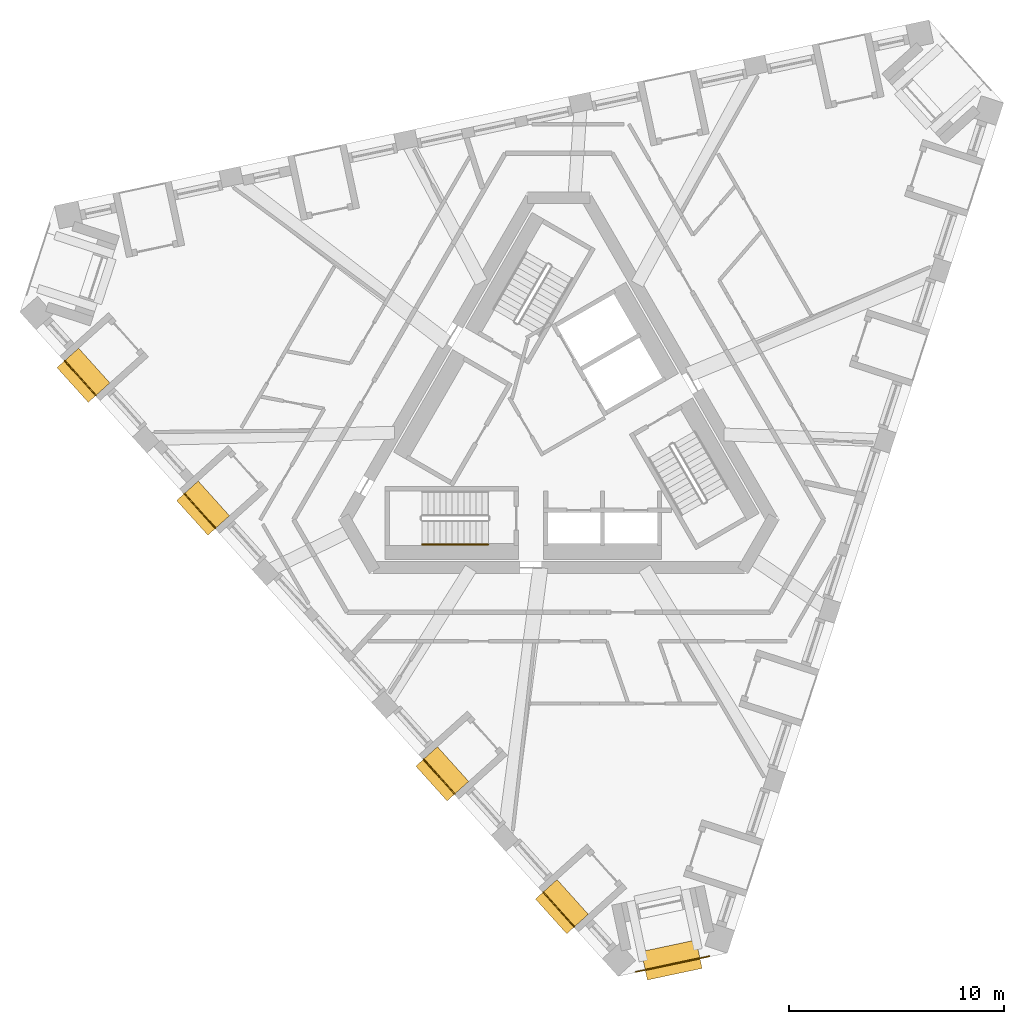
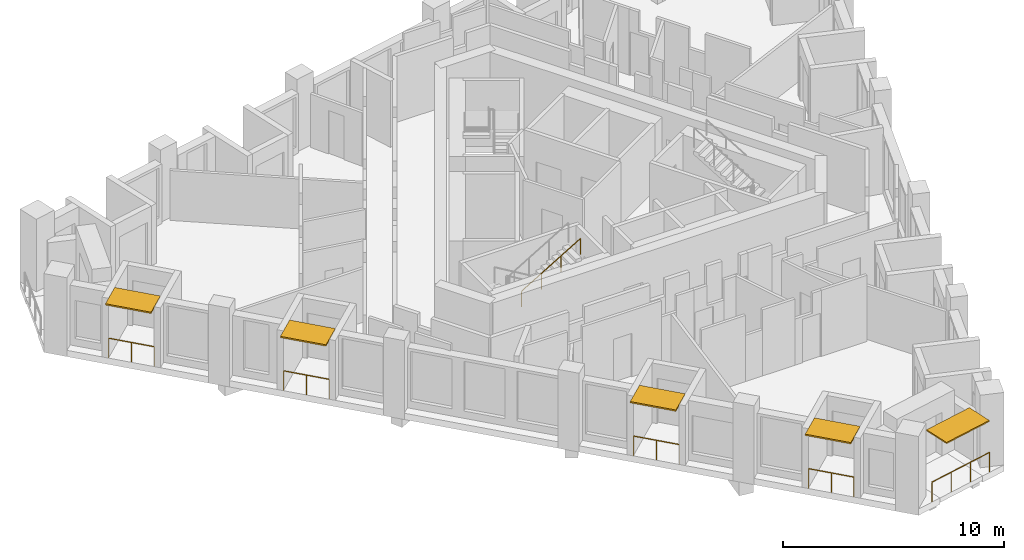
# One storey, part 9 of 12: 6 railings, 5 shading devices.
"""IFC4 building model written with IfcOpenShell, lengths in metres."""

from ifc_helpers import new_model, si_unit, direction, frame, origin, origin_2d, place, context, subcontext, project, spatial, rectangle, circle, extrude, material, layer, layer_set, type_object, element, save


model = new_model("IFC4")

# Units and contexts
model_context = context("Model", 3, precision=1e-05, world=origin(), true_north=direction((0.0, 1.0)))
body_context = subcontext(model_context, "Body", "Model", "MODEL_VIEW")
ifc_project = project(units=[si_unit("LENGTHUNIT", "METRE"), si_unit("AREAUNIT", "SQUARE_METRE"), si_unit("VOLUMEUNIT", "CUBIC_METRE"), si_unit("PLANEANGLEUNIT", "RADIAN"), si_unit("MASSUNIT", "GRAM", prefix="KILO")], contexts=[model_context])

# Site, building, storey
site_placement = place(None, origin())
site = spatial("IfcSite", under=ifc_project, at=site_placement, CompositionType="ELEMENT")
building_placement = place(site_placement, origin())
building = spatial("IfcBuilding", under=site, at=building_placement, Name="Tramontana Tower", CompositionType="ELEMENT")
storey_placement = place(building_placement, frame((0.0, 0.0, 320.39990234375)))
storey = spatial("IfcBuildingStorey", under=building, at=storey_placement, Name="L73", CompositionType="ELEMENT", Elevation=320.39990234375)

# Railings
ifc_material_1 = material(Name="Laminated glass balustrade", Category="glass")
railing_type_1 = type_object("IfcRailingType", Name="GD1 Loggia glass balustrade 1100", PredefinedType="BALUSTRADE", material=ifc_material_1)
railing_1_placement = place(storey_placement, frame((-22.977294921875, 3.146728515625, 0.0)))
element("IfcRailing", 1, at=railing_1_placement, inside=storey, type_object=railing_type_1, Name="Loggia balustrade L73 G8S0.1", PredefinedType="BALUSTRADE", context=body_context, shape_type="SweptSolid", body=[
    extrude(circle(Radius=0.02392578125, at=origin_2d()), frame((0.0, 0.0, 1.076171875), z_axis=(0.669082765552, -0.743187898745, 0.0), x_axis=(0.743187898745, 0.669082765552, 0.0)), (0.0, 0.0, 1.0), 2.171142578125),
    extrude(circle(Radius=0.02099609375, at=origin_2d()), origin(), (0.0, 0.0, 1.0), 1.052001953125),
    extrude(circle(Radius=0.02099609375, at=origin_2d()), frame((0.726318359375, -0.806640625, 0.0)), (0.0, 0.0, 1.0), 1.052001953125),
    extrude(circle(Radius=0.02099609375, at=origin_2d()), frame((1.45263671875, -1.613525390625, 0.0)), (0.0, 0.0, 1.0), 1.052001953125),
])
for number, where, name in (
    (2, (-17.414306640625, -3.03173828125, 0.0), "Loggia balustrade L73 G8S0.4"),
    (3, (-6.288330078125, -15.388427734375, 0.0), "Loggia balustrade L73 G8S0.10"),
):
    element("IfcRailing", number, at=place(storey_placement, frame(where)), inside=storey, type_object=railing_type_1, Name=name, PredefinedType="BALUSTRADE", context=body_context, shape_type="SweptSolid", body=[
        extrude(circle(Radius=0.02392578125, at=origin_2d()), frame((0.0, 0.0, 1.076171875), z_axis=(0.669144868344, -0.743131983681, 0.0), x_axis=(0.743131983681, 0.669144868344, 0.0)), (0.0, 0.0, 1.0), 2.171142578125),
        extrude(circle(Radius=0.02099609375, at=origin_2d()), origin(), (0.0, 0.0, 1.0), 1.052001953125),
        extrude(circle(Radius=0.02099609375, at=origin_2d()), frame((0.7265625, -0.806640625, 0.0)), (0.0, 0.0, 1.0), 1.052001953125),
        extrude(circle(Radius=0.02099609375, at=origin_2d()), frame((1.452880859375, -1.613525390625, 0.0)), (0.0, 0.0, 1.0), 1.052001953125),
    ])
railing_2_placement = place(storey_placement, frame((-0.72509765625, -21.56689453125, 0.0)))
element("IfcRailing", 4, at=railing_2_placement, inside=storey, type_object=railing_type_1, Name="Loggia balustrade L73 G8S0.13", PredefinedType="BALUSTRADE", context=body_context, shape_type="SweptSolid", body=[
    extrude(circle(Radius=0.02392578125, at=origin_2d()), frame((0.0, 0.0, 1.076171875), z_axis=(0.669082765552, -0.743187898745, 0.0), x_axis=(0.743187898745, 0.669082765552, 0.0)), (0.0, 0.0, 1.0), 2.171142578125),
    extrude(circle(Radius=0.02099609375, at=origin_2d()), origin(), (0.0, 0.0, 1.0), 1.052001953125),
    extrude(circle(Radius=0.02099609375, at=origin_2d()), frame((0.726318359375, -0.806640625, 0.0)), (0.0, 0.0, 1.0), 1.052001953125),
    extrude(circle(Radius=0.02099609375, at=origin_2d()), frame((1.45263671875, -1.613525390625, 0.0)), (0.0, 0.0, 1.0), 1.052001953125),
])
railing_3_placement = place(storey_placement, frame((7.00732421875, -24.549560546875, 0.0)))
element("IfcRailing", 5, at=railing_3_placement, inside=storey, type_object=railing_type_1, Name="Corner loggia balustrade L73 K81", PredefinedType="BALUSTRADE", context=body_context, shape_type="SweptSolid", body=[
    extrude(circle(Radius=0.02392578125, at=origin_2d()), frame((0.0, 0.0, 1.076171875), z_axis=(-0.978143070564, -0.20793300245, 0.0), x_axis=(0.20793300245, -0.978143070564, 0.0)), (0.0, 0.0, 1.0), 3.5),
    extrude(circle(Radius=0.02099609375, at=origin_2d()), origin(), (0.0, 0.0, 1.0), 1.052001953125),
    extrude(circle(Radius=0.02099609375, at=origin_2d()), frame((-1.14111328125, -0.24267578125, 0.0)), (0.0, 0.0, 1.0), 1.052001953125),
    extrude(circle(Radius=0.02099609375, at=origin_2d()), frame((-2.282470703125, -0.485107421875, 0.0)), (0.0, 0.0, 1.0), 1.052001953125),
    extrude(circle(Radius=0.02099609375, at=origin_2d()), frame((-3.423583984375, -0.727783203125, 0.0)), (0.0, 0.0, 1.0), 1.052001953125),
])

# Shading devices
ifc_material_2 = material(Name="Precast concrete 60 MPa", Category="concrete")
ifc_layer_1 = layer(ifc_material_2, 0.070068359375)
ifc_layer_set_1 = layer_set([ifc_layer_1], Name="SS2 Stone sunshade blade 70")
shading_device_type_1 = type_object("IfcShadingDeviceType", Name="SS2 Stone sunshade blade 70", PredefinedType="USERDEFINED", material=ifc_layer_set_1)
shading_device_placement = place(storey_placement, frame((5.2548828125, -24.72265625, 3.22998046875), z_axis=(0.0, 0.0, 1.0), x_axis=(-0.978147600734, -0.207911690818, 0.0)))
element("IfcShadingDevice", 6, at=shading_device_placement, inside=storey, type_object=shading_device_type_1, Name="Corner sunshade L73 K81", ObjectType="SUNSHADE", PredefinedType="USERDEFINED", context=body_context, shape_type="SweptSolid", body=[
    extrude(rectangle(XDim=2.60009765625, YDim=1.35009765625, at=origin_2d()), origin(), (0.0, 0.0, 1.0), 0.070068359375),
])
ifc_material_3 = material(Name="Precast concrete 60 MPa", Category="concrete")
ifc_layer_2 = layer(ifc_material_3, 0.080078125)
ifc_layer_set_2 = layer_set([ifc_layer_2], Name="SS3 Stone sunshade blade 80")
shading_device_type_2 = type_object("IfcShadingDeviceType", Name="SS3 Stone sunshade blade 80", PredefinedType="USERDEFINED", material=ifc_layer_set_2)
for number, where, z_axis, x_axis, name in (
    (7, (-22.10595703125, 2.470458984375, 3.219970703125), (0.0, 0.0, 1.0), (0.669130606359, -0.743144825477, 0.0), "Sunshade L73 G8S0.1"),
    (8, (-16.54296875, -3.7080078125, 3.219970703125), (0.0, 0.0, 1.0), (0.669130606359, -0.743144825477, 0.0), "Sunshade L73 G8S0.4"),
    (9, (-5.4169921875, -16.064697265625, 3.219970703125), (0.0, 0.0, 1.0), (0.669130606359, -0.743144825477, 0.0), "Sunshade L73 G8S0.10"),
    (10, (0.146240234375, -22.2431640625, 3.219970703125), (0.0, 0.0, 1.0), (0.669130606359, -0.743144825477, 0.0), "Sunshade L73 G8S0.13"),
):
    element("IfcShadingDevice", number, at=place(storey_placement, frame(where, z_axis=z_axis, x_axis=x_axis)), inside=storey, type_object=shading_device_type_2, Name=name, ObjectType="SUNSHADE", PredefinedType="USERDEFINED", context=body_context, shape_type="SweptSolid", body=[
        extrude(rectangle(XDim=2.17138671875, YDim=1.35009765625, at=origin_2d()), origin(), (0.0, 0.0, 1.0), 0.080078125),
    ])

# Railing
ifc_material_4 = material(Name="Painted steel", Category="steel")
railing_type_2 = type_object("IfcRailingType", Name="STAIR HANDRAIL 900", PredefinedType="HANDRAIL", material=ifc_material_4)
railing_4_placement = place(storey_placement, frame((-6.360107421875, -5.39990234375, 2.166748046875)))
element("IfcRailing", 11, at=railing_4_placement, inside=storey, type_object=railing_type_2, Name="L73 ST2 stair handrail 2", PredefinedType="HANDRAIL", context=body_context, shape_type="SweptSolid", body=[
    extrude(circle(Radius=0.02392578125, at=origin_2d()), frame((0.0, 0.0, 0.8759765625), z_axis=(0.859308565015, 0.0, 0.511457515432), x_axis=(0.0, 1.0, 0.0)), (0.0, 0.0, 1.0), 3.58447265625),
    extrude(circle(Radius=0.02099609375, at=origin_2d()), origin(), (0.0, 0.0, 1.0), 0.851806640625),
    extrude(circle(Radius=0.02099609375, at=origin_2d()), frame((1.026611328125, 0.0, 0.611083984375)), (0.0, 0.0, 1.0), 0.851806640625),
    extrude(circle(Radius=0.02099609375, at=origin_2d()), frame((2.053466796875, 0.0, 1.22216796875)), (0.0, 0.0, 1.0), 0.851806640625),
    extrude(circle(Radius=0.02099609375, at=origin_2d()), frame((3.080078125, 0.0, 1.833251953125)), (0.0, 0.0, 1.0), 0.851806640625),
])

save(model, "model.ifc")
